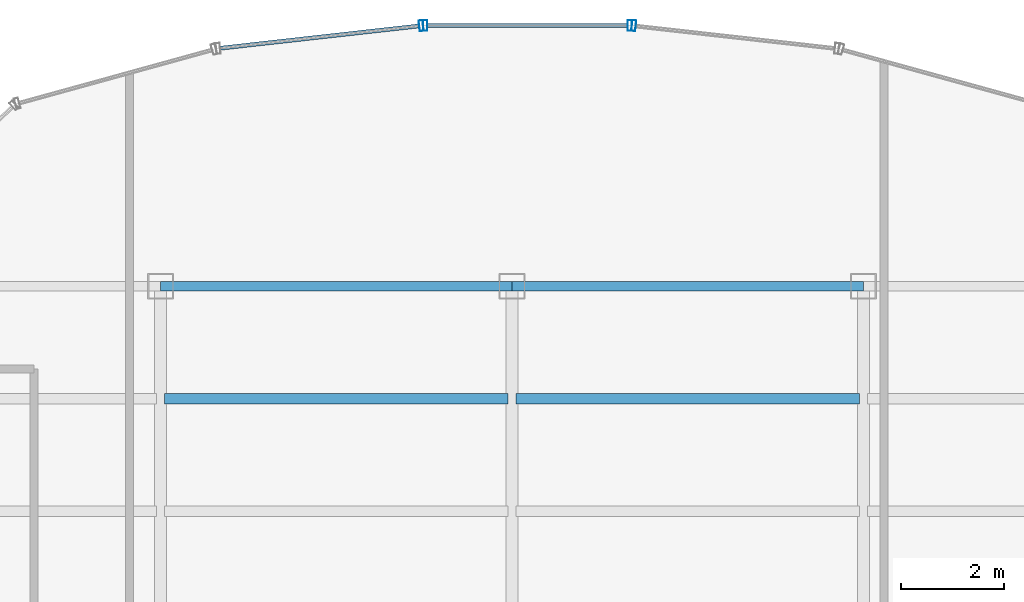
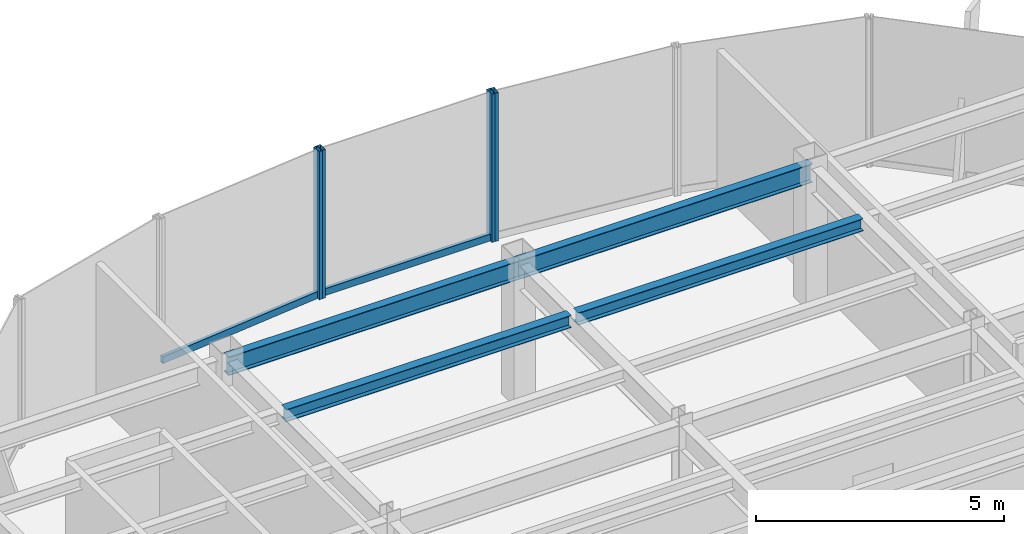
# One storey, part 13 of 22: 6 members, 4 beams, 3 elements without a shape of their own.
"""IFC4 building model written with IfcOpenShell, lengths in metres."""

from ifc_helpers import new_model, si_unit, derived_unit, direction, frame, origin, origin_2d, place, context, subcontext, project, spatial, hollow_rectangle, i_section, extrude, source, transform, mapped, material, material_profile, profile_set, type_object, element, aggregate, save


model = new_model("IFC4")

# Units and contexts
model_context = context("Model", 3, precision=1e-05, world=origin(), true_north=direction((0.0, 1.0)))
body_context = subcontext(model_context, "Body", "Model", "MODEL_VIEW")
ifc_project = project(units=[si_unit("LENGTHUNIT", "METRE"), si_unit("AREAUNIT", "SQUARE_METRE"), si_unit("VOLUMEUNIT", "CUBIC_METRE"), si_unit("PLANEANGLEUNIT", "RADIAN"), si_unit("MASSUNIT", "GRAM", prefix="KILO"), derived_unit("THERMALTRANSMITTANCEUNIT", [(si_unit("POWERUNIT", "WATT"), 1), (si_unit("LENGTHUNIT", "METRE"), -2), (si_unit("THERMODYNAMICTEMPERATUREUNIT", "KELVIN"), -1)])], contexts=[model_context])

# Site, building, storey
site_placement = place(None, origin())
site = spatial("IfcSite", under=ifc_project, at=site_placement, CompositionType="ELEMENT")
building_placement = place(site_placement, origin())
building = spatial("IfcBuilding", under=site, at=building_placement, Name="Skarnbrae Concourse Arena and Tower", CompositionType="ELEMENT")
storey_placement = place(building_placement, frame((0.0, 0.0, 266.10009765625)))
storey = spatial("IfcBuildingStorey", under=building, at=storey_placement, Name="L69", CompositionType="ELEMENT", Elevation=266.10009765625)

# Beams
ifc_material_1 = material(Name="Steel CSA G40.21 350W", Category="steel")
ifc_material_profile_1 = material_profile(ifc_material_1, i_section(OverallWidth=0.19091796875, OverallDepth=0.4599609375, WebThickness=0.010009765625, FlangeThickness=0.01611328125, at=origin_2d()), Name="W460X82")
ifc_profile_set_1 = profile_set([ifc_material_profile_1], Name="Steel CSA G40.21 350W")
beam_type_1 = type_object("IfcBeamType", Name="BM-SPAN-W460X82", PredefinedType="SPANDREL", material=ifc_profile_set_1)
shared_shape_1 = source(origin(), body_context, "Body", "SweptSolid", [
    extrude(i_section(OverallWidth=0.19091796875, OverallDepth=0.4599609375, WebThickness=0.010009765625, FlangeThickness=0.01611328125, at=origin_2d()), origin(), (0.0, 0.0, 1.0), 6.800048828125),
])
for number, where, z_axis, x_axis, name in (
    (1, (14.39990234375, 34.39990234375, 3.169921875), (1.0, 0.0, 0.0), (0.0, 1.0, 0.0), "L69 Perimeter spandrel Y34.4-2"),
    (2, (21.199951171875, 34.39990234375, 3.169921875), (1.0, 0.0, 0.0), (0.0, 1.0, 0.0), "L69 Perimeter spandrel Y34.4-3"),
):
    element("IfcBeam", number, at=place(storey_placement, frame(where, z_axis=z_axis, x_axis=x_axis)), inside=storey, type_object=beam_type_1, Name=name, PredefinedType="SPANDREL", context=body_context, shape_type="MappedRepresentation", body=[
        mapped(shared_shape_1, transform((0.0, 0.0, 0.0))),
    ])
ifc_material_profile_2 = material_profile(ifc_material_1, i_section(OverallWidth=0.202880859375, OverallDepth=0.302978515625, WebThickness=0.007568359375, FlangeThickness=0.01318359375, at=origin_2d()), Name="W310X60")
ifc_profile_set_2 = profile_set([ifc_material_profile_2], Name="Steel CSA G40.21 350W")
beam_type_2 = type_object("IfcBeamType", Name="BM-JOIST-W310X60", PredefinedType="JOIST", material=ifc_profile_set_2)
shared_shape_2 = source(origin(), body_context, "Body", "SweptSolid", [
    extrude(i_section(OverallWidth=0.202880859375, OverallDepth=0.302978515625, WebThickness=0.007568359375, FlangeThickness=0.01318359375, at=origin_2d()), origin(), (0.0, 0.0, 1.0), 6.64013671875),
])
beam_1_placement = place(storey_placement, frame((14.47998046875, 32.221923828125, 3.248291015625), z_axis=(1.0, 0.0, 0.0), x_axis=(0.0, 1.0, 0.0)))
element("IfcBeam", 3, at=beam_1_placement, inside=storey, type_object=beam_type_2, Name="L69 Secondary floor joist 3.2.2", PredefinedType="JOIST", context=body_context, shape_type="MappedRepresentation", body=[
    mapped(shared_shape_2, transform((0.0, 0.0, 0.0))),
])
shared_shape_3 = source(origin(), body_context, "Body", "SweptSolid", [
    extrude(i_section(OverallWidth=0.202880859375, OverallDepth=0.302978515625, WebThickness=0.007568359375, FlangeThickness=0.01318359375, at=origin_2d()), origin(), (0.0, 0.0, 1.0), 6.639892578125),
])
beam_2_placement = place(storey_placement, frame((21.280029296875, 32.221923828125, 3.248291015625), z_axis=(1.0, 0.0, 0.0), x_axis=(0.0, 1.0, 0.0)))
element("IfcBeam", 4, at=beam_2_placement, inside=storey, type_object=beam_type_2, Name="L69 Secondary floor joist 3.2.3", PredefinedType="JOIST", context=body_context, shape_type="MappedRepresentation", body=[
    mapped(shared_shape_3, transform((0.0, 0.0, 0.0))),
])

# Curtain wall, member
ifc_material_2 = material(Name="Bronze anodised aluminium 6063-T6", Category="aluminium")
curtain_wall_type = type_object("IfcCurtainWallType", Name="CW-SYS-03-PORTAL", PredefinedType="USERDEFINED", material=ifc_material_2)
curtain_wall_1_placement = place(storey_placement, origin())
curtain_wall_1 = element("IfcCurtainWall", 5, at=curtain_wall_1_placement, inside=storey, type_object=curtain_wall_type, Name="L69 Unitised curtain wall CW-L69-E10", ObjectType="UNITISED CURTAIN WALL", PredefinedType="USERDEFINED")
ifc_material_profile_3 = material_profile(ifc_material_2, hollow_rectangle(XDim=0.080078125, YDim=0.2099609375, WallThickness=0.00439453125, at=origin_2d()), Name="ALU-MULL-80X210")
ifc_profile_set_3 = profile_set([ifc_material_profile_3], Name="Bronze anodised aluminium 6063-T6")
member_type_1 = type_object("IfcMemberType", Name="CWM-CW-03", PredefinedType="MULLION", material=ifc_profile_set_3)
shared_shape_4 = source(origin(), body_context, "Body", "SweptSolid", [
    extrude(hollow_rectangle(XDim=0.080078125, YDim=0.2099609375, WallThickness=0.00439453125, at=origin_2d()), origin(), (0.0, 0.0, 1.0), 3.64990234375),
])
member_1_placement = place(storey_placement, frame((23.556884765625, 39.442138671875, 0.0), z_axis=(0.0, 0.0, 1.0), x_axis=(-0.993768891873, 0.111460259941, 0.0)))
member_1 = element("IfcMember", 6, at=member_1_placement, type_object=member_type_1, Name="CW-L69-E10 Mullion 2", PredefinedType="MULLION", context=body_context, shape_type="MappedRepresentation", body=[
    mapped(shared_shape_4, transform((0.0, 0.0, 0.0))),
])
aggregate(curtain_wall_1, [member_1])

# Curtain wall, members
curtain_wall_2_placement = place(storey_placement, origin())
curtain_wall_2 = element("IfcCurtainWall", 7, at=curtain_wall_2_placement, inside=storey, type_object=curtain_wall_type, Name="L69 Unitised curtain wall CW-L69-E11", ObjectType="UNITISED CURTAIN WALL", PredefinedType="USERDEFINED")
member_2_placement = place(storey_placement, frame((23.477294921875, 39.44677734375, 0.0), z_axis=(0.0, 0.0, 1.0), x_axis=(-1.0, 0.0, 0.0)))
member_2 = element("IfcMember", 8, at=member_2_placement, type_object=member_type_1, Name="CW-L69-E11 Mullion 1", PredefinedType="MULLION", context=body_context, shape_type="MappedRepresentation", body=[
    mapped(shared_shape_4, transform((0.0, 0.0, 0.0))),
])
member_3_placement = place(storey_placement, frame((19.522705078125, 39.44677734375, 0.0), z_axis=(0.0, 0.0, 1.0), x_axis=(-1.0, 0.0, 0.0)))
member_3 = element("IfcMember", 9, at=member_3_placement, type_object=member_type_1, Name="CW-L69-E11 Mullion 2", PredefinedType="MULLION", context=body_context, shape_type="MappedRepresentation", body=[
    mapped(shared_shape_4, transform((0.0, 0.0, 0.0))),
])

curtain_wall_3_placement = place(storey_placement, origin())
curtain_wall_3 = element("IfcCurtainWall", 10, at=curtain_wall_3_placement, inside=storey, type_object=curtain_wall_type, Name="L69 Unitised curtain wall CW-L69-E12", ObjectType="UNITISED CURTAIN WALL", PredefinedType="USERDEFINED")
member_4_placement = place(storey_placement, frame((19.443115234375, 39.442138671875, 0.0), z_axis=(0.0, 0.0, 1.0), x_axis=(-0.993768891873, -0.111460259941, 0.0)))
member_4 = element("IfcMember", 11, at=member_4_placement, type_object=member_type_1, Name="CW-L69-E12 Mullion 1", PredefinedType="MULLION", context=body_context, shape_type="MappedRepresentation", body=[
    mapped(shared_shape_4, transform((0.0, 0.0, 0.0))),
])
ifc_material_profile_4 = material_profile(ifc_material_2, hollow_rectangle(XDim=0.080078125, YDim=0.169921875, WallThickness=0.00439453125, at=origin_2d()), Name="ALU-TRAN-80X170")
ifc_profile_set_4 = profile_set([ifc_material_profile_4], Name="Bronze anodised aluminium 6063-T6")
member_type_2 = type_object("IfcMemberType", Name="CWT-CW-03", PredefinedType="USERDEFINED", material=ifc_profile_set_4)
shared_shape_5 = source(origin(), body_context, "Body", "SweptSolid", [
    extrude(hollow_rectangle(XDim=0.080078125, YDim=0.169921875, WallThickness=0.00439453125, at=origin_2d()), origin(), (0.0, 0.0, 1.0), 3.873779296875),
])
member_5_placement = place(storey_placement, frame((19.4033203125, 39.437744140625, 0.0849609375), z_axis=(-0.993772558096, -0.111427567397, 0.0), x_axis=(0.111427567397, -0.993772558096, 0.0)))
member_5 = element("IfcMember", 12, at=member_5_placement, type_object=member_type_2, Name="CW-L69-E12 Transom 1", ObjectType="TRANSOM", PredefinedType="USERDEFINED", context=body_context, shape_type="MappedRepresentation", body=[
    mapped(shared_shape_5, transform((0.0, 0.0, 0.0))),
])
aggregate(curtain_wall_3, [member_4, member_5])

# Member
shared_shape_6 = source(origin(), body_context, "Body", "SweptSolid", [
    extrude(hollow_rectangle(XDim=0.080078125, YDim=0.169921875, WallThickness=0.00439453125, at=origin_2d()), origin(), (0.0, 0.0, 1.0), 3.87451171875),
])
member_6_placement = place(storey_placement, frame((23.437255859375, 39.44677734375, 0.0849609375), z_axis=(-1.0, 0.0, 0.0), x_axis=(0.0, -1.0, 0.0)))
member_6 = element("IfcMember", 13, at=member_6_placement, type_object=member_type_2, Name="CW-L69-E11 Transom 1", ObjectType="TRANSOM", PredefinedType="USERDEFINED", context=body_context, shape_type="MappedRepresentation", body=[
    mapped(shared_shape_6, transform((0.0, 0.0, 0.0))),
])

aggregate(curtain_wall_2, [member_2, member_3, member_6])

save(model, "model.ifc")
